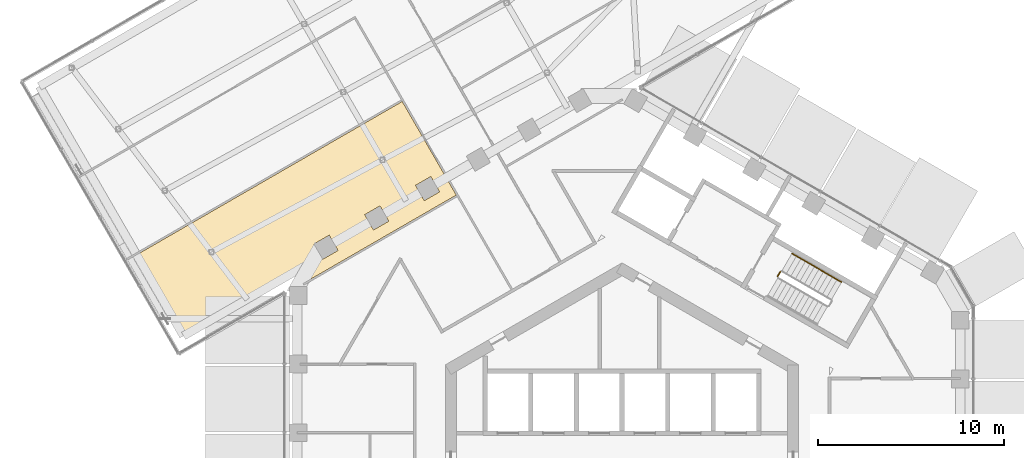
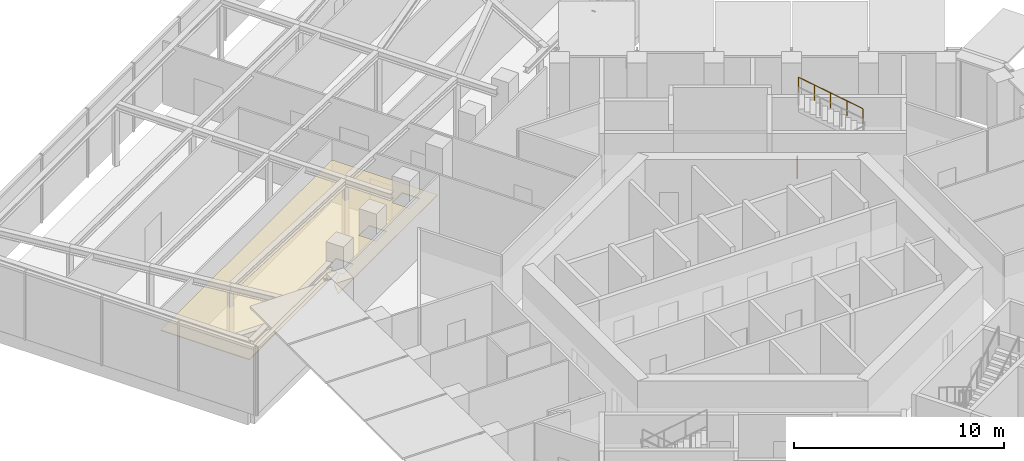
# One storey, part 27 of 27: 3 railings, 1 covering.
"""IFC4 building model written with IfcOpenShell, lengths in metres."""

from ifc_helpers import new_model, si_unit, direction, frame, origin, origin_2d, place, context, subcontext, project, spatial, polyline, circle, outline, extrude, material, layer, layer_set, type_object, element, save


model = new_model("IFC4")

# Units and contexts
model_context = context("Model", 3, precision=1e-05, world=origin(), true_north=direction((0.0, 1.0)))
body_context = subcontext(model_context, "Body", "Model", "MODEL_VIEW")
ifc_project = project(units=[si_unit("LENGTHUNIT", "METRE"), si_unit("AREAUNIT", "SQUARE_METRE"), si_unit("VOLUMEUNIT", "CUBIC_METRE"), si_unit("PLANEANGLEUNIT", "RADIAN"), si_unit("MASSUNIT", "GRAM", prefix="KILO")], contexts=[model_context])

# Site, building, storey
site_placement = place(None, origin())
site = spatial("IfcSite", under=ifc_project, at=site_placement, CompositionType="ELEMENT")
building_placement = place(site_placement, origin())
building = spatial("IfcBuilding", under=site, at=building_placement, Name="Ayvan Gate Tower", CompositionType="ELEMENT")
storey_placement = place(building_placement, frame((0.0, 0.0, 194.699951171875)))
storey = spatial("IfcBuildingStorey", under=building, at=storey_placement, Name="L52", CompositionType="ELEMENT", Elevation=194.699951171875)

# Covering
ifc_material_1 = material(Name="Plasterboard suspended ceiling")
ifc_layer = layer(ifc_material_1, 0.050048828125)
ifc_layer_set = layer_set([ifc_layer], Name="Plasterboard suspended ceiling")
covering_type = type_object("IfcCoveringType", Name="CT-SUSP-50", PredefinedType="CEILING", material=ifc_layer_set)
covering_placement = place(storey_placement, frame((0.0, 0.0, 2.400146484375)))
element("IfcCovering", 1, at=covering_placement, inside=storey, type_object=covering_type, Name="Ceiling Library 2 L52", PredefinedType="CEILING", context=body_context, shape_type="SweptSolid", body=[
    extrude(outline(polyline([(-8.913818359375, 14.61328125), (-17.114013671875, 9.87890625), (-16.9169921875, 10.613525390625), (-16.194091796875, 11.336669921875), (-16.09228515625, 11.16064453125), (-15.26953125, 11.635498046875), (-15.74462890625, 12.458251953125), (-16.5673828125, 11.9833984375), (-16.2548828125, 11.44189453125), (-23.524169921875, 7.2451171875), (-25.96826171875, 11.478271484375), (-11.820068359375, 19.646728515625), (-8.913818359375, 14.61328125)]), holes=[polyline([(-10.284423828125, 15.61083984375), (-11.107177734375, 15.1357421875), (-10.632080078125, 14.31298828125), (-9.8095703125, 14.7880859375), (-10.284423828125, 15.61083984375)]), polyline([(-13.0146484375, 14.034423828125), (-13.83740234375, 13.5595703125), (-13.3623046875, 12.73681640625), (-12.53955078125, 13.2119140625), (-13.0146484375, 14.034423828125)])]), origin(), (0.0, 0.0, 1.0), 0.0498046875),
])

# Railings
ifc_material_2 = material(Name="Stainless steel balustrade", Category="steel")
railing_type_1 = type_object("IfcRailingType", Name="RL-GUARD-1100", PredefinedType="GUARDRAIL", material=ifc_material_2)
railing_1_placement = place(storey_placement, frame((8.36279296875, 10.23486328125, 0.0)))
element("IfcRailing", 2, at=railing_1_placement, inside=storey, type_object=railing_type_1, Name="L52 STS1 stair guard 4", PredefinedType="GUARDRAIL", context=body_context, shape_type="SweptSolid", body=[
    extrude(circle(Radius=0.02392578125, at=origin_2d()), frame((0.0, 0.0, 1.076171875), z_axis=(0.500290723946, 0.86585748916, 0.0), x_axis=(-0.86585748916, 0.500290723946, 0.0)), (0.0, 0.0, 1.0), 0.309814453125),
    extrude(circle(Radius=0.02099609375, at=origin_2d()), origin(), (0.0, 0.0, 1.0), 1.052001953125),
    extrude(circle(Radius=0.02099609375, at=origin_2d()), frame((0.155029296875, 0.268310546875, 0.0)), (0.0, 0.0, 1.0), 1.052001953125),
])
railing_type_2 = type_object("IfcRailingType", Name="RL-HANDRAIL-900", PredefinedType="HANDRAIL", material=ifc_material_2)
railing_2_placement = place(storey_placement, frame((11.803466796875, 9.93408203125, 2.166748046875)))
element("IfcRailing", 3, at=railing_2_placement, inside=storey, type_object=railing_type_2, Name="L52 STS1 stair handrail 3", PredefinedType="HANDRAIL", context=body_context, shape_type="SweptSolid", body=[
    extrude(circle(Radius=0.02392578125, at=origin_2d()), frame((0.0, 0.0, 0.8759765625), z_axis=(-0.7441639146, 0.429634447492, 0.511502013422), x_axis=(-0.499992328818, -0.866029832698, 0.0)), (0.0, 0.0, 1.0), 1.792236328125),
    extrude(circle(Radius=0.02099609375, at=origin_2d()), origin(), (0.0, 0.0, 1.0), 0.851806640625),
    extrude(circle(Radius=0.02099609375, at=origin_2d()), frame((-0.6669921875, 0.385009765625, 0.45849609375)), (0.0, 0.0, 1.0), 0.851806640625),
    extrude(circle(Radius=0.02099609375, at=origin_2d()), frame((-1.333740234375, 0.77001953125, 0.916748046875)), (0.0, 0.0, 1.0), 0.851806640625),
])
railing_3_placement = place(storey_placement, frame((10.4697265625, 10.7041015625, 3.08349609375)))
element("IfcRailing", 4, at=railing_3_placement, inside=storey, type_object=railing_type_2, Name="L52 STS1 stair handrail 4", PredefinedType="HANDRAIL", context=body_context, shape_type="SweptSolid", body=[
    extrude(circle(Radius=0.02392578125, at=origin_2d()), frame((0.0, 0.0, 0.8759765625), z_axis=(-0.744215763664, 0.42966438195, 0.511401423539), x_axis=(-0.499992328818, -0.866029832698, 0.0)), (0.0, 0.0, 1.0), 1.792236328125),
    extrude(circle(Radius=0.02099609375, at=origin_2d()), origin(), (0.0, 0.0, 1.0), 0.851806640625),
    extrude(circle(Radius=0.02099609375, at=origin_2d()), frame((-0.6669921875, 0.385009765625, 0.458251953125)), (0.0, 0.0, 1.0), 0.851806640625),
    extrude(circle(Radius=0.02099609375, at=origin_2d()), frame((-1.333740234375, 0.77001953125, 0.91650390625)), (0.0, 0.0, 1.0), 0.851806640625),
])

save(model, "model.ifc")
